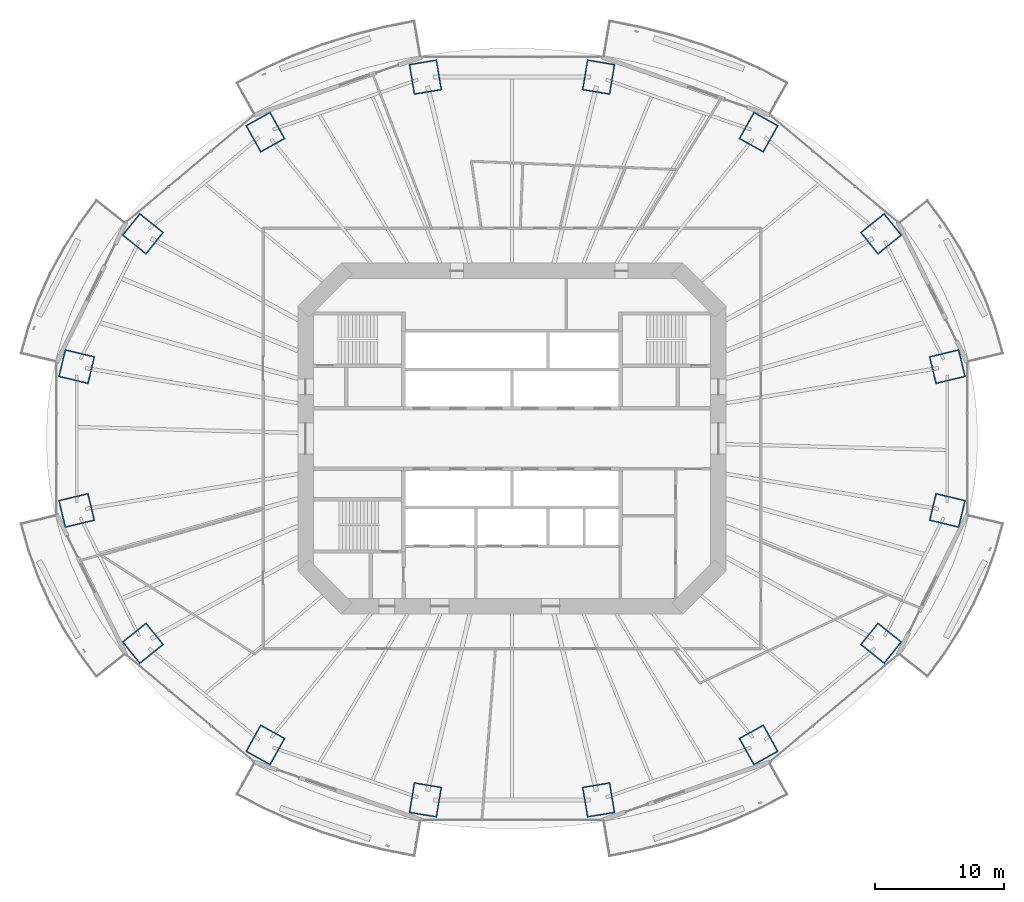
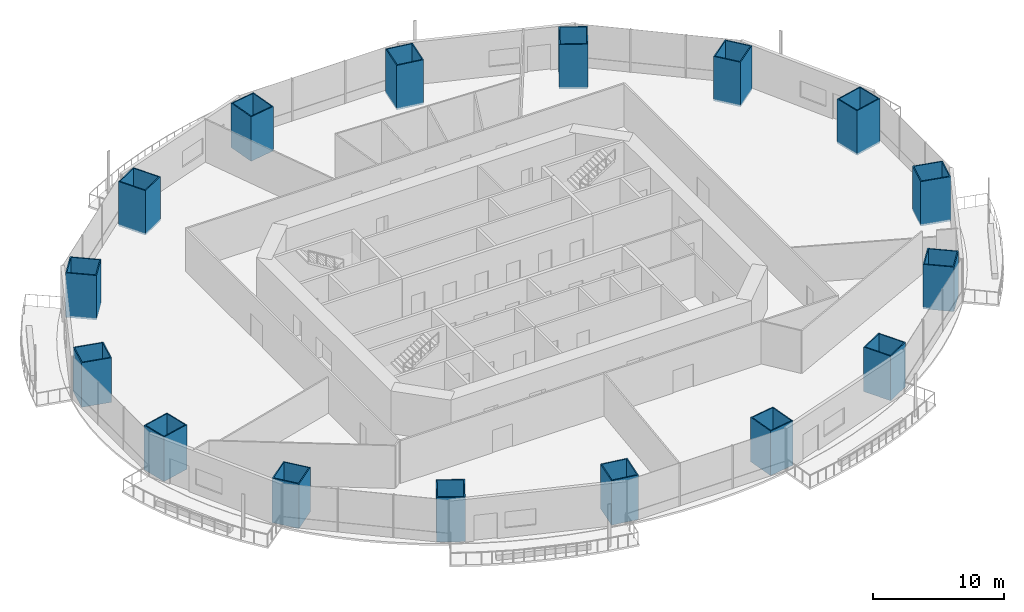
# One storey, part 1 of 23: 16 columns.
"""IFC4 building model written with IfcOpenShell, lengths in metres."""

from ifc_helpers import new_model, si_unit, direction, frame, origin, origin_2d, place, context, subcontext, project, spatial, rectangle, hollow_rectangle, extrude, material, material_profile, profile_set, type_object, element, save


model = new_model("IFC4")

# Units and contexts
model_context = context("Model", 3, precision=1e-05, world=origin(), true_north=direction((0.0, 1.0)))
body_context = subcontext(model_context, "Body", "Model", "MODEL_VIEW")
ifc_project = project(units=[si_unit("LENGTHUNIT", "METRE"), si_unit("AREAUNIT", "SQUARE_METRE"), si_unit("VOLUMEUNIT", "CUBIC_METRE"), si_unit("PLANEANGLEUNIT", "RADIAN"), si_unit("MASSUNIT", "GRAM", prefix="KILO")], contexts=[model_context])

# Site, building, storey
site_placement = place(None, origin())
site = spatial("IfcSite", under=ifc_project, at=site_placement, CompositionType="ELEMENT")
building_placement = place(site_placement, origin())
building = spatial("IfcBuilding", under=site, at=building_placement, Name="Marenthal Gate Tower", CompositionType="ELEMENT")
storey_placement = place(building_placement, frame((0.0, 0.0, 62.050048828125)))
storey = spatial("IfcBuildingStorey", under=building, at=storey_placement, Name="L11", CompositionType="ELEMENT", Elevation=62.050048828125)

# Columns
ifc_material_1 = material(Name="Steel S460", Category="steel")
ifc_material_profile_1 = material_profile(ifc_material_1, hollow_rectangle(XDim=2.199951171875, YDim=2.39990234375, WallThickness=0.090087890625, at=origin_2d()), Name="CFT BOX 2400X2200X90")
ifc_material_2 = material(Name="Concrete 70 MPa", Category="concrete")
ifc_material_profile_2 = material_profile(ifc_material_2, rectangle(XDim=2.02001953125, YDim=2.219970703125, at=origin_2d()), Name="CFT BOX 2400X2200X90 INFILL")
ifc_profile_set = profile_set([ifc_material_profile_1, ifc_material_profile_2], Name="Steel S460 shell, Concrete 70 MPa infill")
column_type = type_object("IfcColumnType", Name="CFT BOX 2400X2200X90", PredefinedType="COLUMN", material=ifc_profile_set)
for number, where, z_axis, x_axis, name in (
    (1, (33.753662109375, 5.573486328125, -0.179931640625), (0.0, 0.0, 1.0), (0.233019367947, -0.972472094284, 0.0), "COL-L11-01"),
    (2, (28.614990234375, 15.8720703125, -0.179931640625), (0.0, 0.0, 1.0), (0.627022662824, -0.779001014316, 0.0), "COL-L11-02"),
    (3, (19.119873046875, 23.75439453125, -0.179931640625), (0.0, 0.0, 1.0), (0.874483442073, -0.4850553675, 0.0), "COL-L11-03"),
    (4, (6.714111328125, 28.02001953125, -0.179931640625), (0.0, 0.0, 1.0), (0.98663963585, -0.16291785958, 0.0), "COL-L11-04"),
    (5, (-6.714111328125, 28.02001953125, -0.179931640625), (0.0, 0.0, 1.0), (0.98663963585, 0.16291785958, 0.0), "COL-L11-05"),
    (6, (-19.119873046875, 23.75439453125, -0.179931640625), (0.0, 0.0, 1.0), (0.874483442073, 0.4850553675, 0.0), "COL-L11-06"),
    (7, (-28.614990234375, 15.8720703125, -0.179931640625), (0.0, 0.0, 1.0), (0.627022662824, 0.779001014316, 0.0), "COL-L11-07"),
    (8, (-33.753662109375, 5.573486328125, -0.179931640625), (0.0, 0.0, 1.0), (0.233019367947, 0.972472094284, 0.0), "COL-L11-08"),
    (9, (-33.753662109375, -5.573486328125, -0.179931640625), (0.0, 0.0, 1.0), (-0.233019367947, 0.972472094284, 0.0), "COL-L11-09"),
    (10, (-28.614990234375, -15.8720703125, -0.179931640625), (0.0, 0.0, 1.0), (-0.627022662824, 0.779001014316, 0.0), "COL-L11-10"),
    (11, (-19.119873046875, -23.75439453125, -0.179931640625), (0.0, 0.0, 1.0), (-0.874483442073, 0.4850553675, 0.0), "COL-L11-11"),
    (12, (-6.714111328125, -28.02001953125, -0.179931640625), (0.0, 0.0, 1.0), (-0.98663963585, 0.16291785958, 0.0), "COL-L11-12"),
    (13, (6.714111328125, -28.02001953125, -0.179931640625), (0.0, 0.0, 1.0), (-0.98663963585, -0.16291785958, 0.0), "COL-L11-13"),
    (14, (19.119873046875, -23.75439453125, -0.179931640625), (0.0, 0.0, 1.0), (-0.874483442073, -0.4850553675, 0.0), "COL-L11-14"),
    (15, (28.614990234375, -15.8720703125, -0.179931640625), (0.0, 0.0, 1.0), (-0.627022662824, -0.779001014316, 0.0), "COL-L11-15"),
    (16, (33.753662109375, -5.573486328125, -0.179931640625), (0.0, 0.0, 1.0), (-0.233019367947, -0.972472094284, 0.0), "COL-L11-16"),
):
    element("IfcColumn", number, at=place(storey_placement, frame(where, z_axis=z_axis, x_axis=x_axis)), inside=storey, type_object=column_type, Name=name, PredefinedType="COLUMN", context=body_context, shape_type="SweptSolid", body=[
        extrude(hollow_rectangle(XDim=2.199951171875, YDim=2.39990234375, WallThickness=0.090087890625, at=origin_2d()), origin(), (0.0, 0.0, 1.0), 4.14990234375),
    ])

save(model, "model.ifc")
